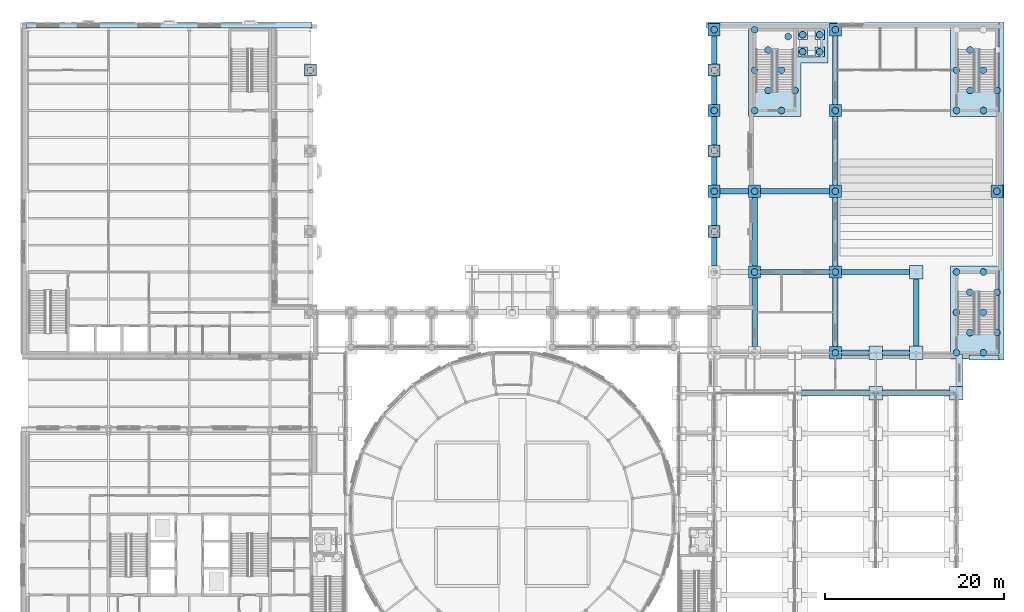
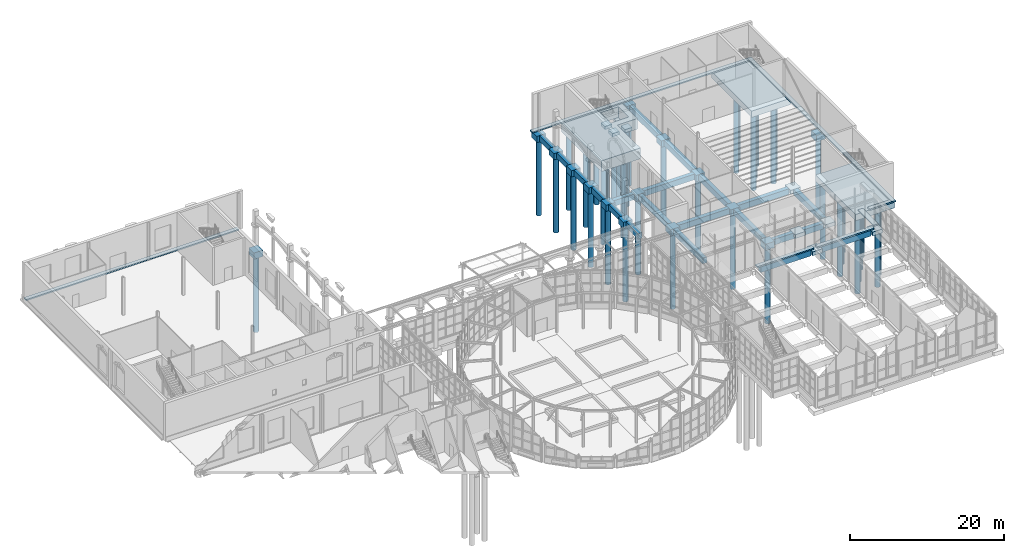
# One storey, part 4 of 106: 54 footings, 45 piles.
"""IFC4 building model written with IfcOpenShell, lengths in metres."""

from ifc_helpers import new_model, si_unit, direction, frame, origin, origin_2d, place, context, subcontext, project, spatial, polyline, circle, outline, extrude, material, material_profile, profile_set, type_object, element, save


model = new_model("IFC4")

# Units and contexts
model_context = context("Model", 3, precision=1e-05, world=origin(), true_north=direction((0.0, 1.0)))
body_context = subcontext(model_context, "Body", "Model", "MODEL_VIEW")
ifc_project = project(units=[si_unit("LENGTHUNIT", "METRE"), si_unit("AREAUNIT", "SQUARE_METRE"), si_unit("VOLUMEUNIT", "CUBIC_METRE"), si_unit("PLANEANGLEUNIT", "RADIAN"), si_unit("MASSUNIT", "GRAM", prefix="KILO")], contexts=[model_context])

# Site, building, storey
site_placement = place(None, origin())
site = spatial("IfcSite", under=ifc_project, at=site_placement, CompositionType="ELEMENT")
building_placement = place(site_placement, origin())
building = spatial("IfcBuilding", under=site, at=building_placement, Name="Hortulan Conservatory and Botanical Research Centre", CompositionType="ELEMENT")
storey_placement = place(building_placement, origin())
storey = spatial("IfcBuildingStorey", under=building, at=storey_placement, Name="L00", CompositionType="ELEMENT", Elevation=0.0)

# Piles
ifc_material = material(Name="Concrete N40 (40 MPa, AS 3600)", Category="concrete")
ifc_material_profile = material_profile(ifc_material, circle(Radius=0.375, at=origin_2d()), Name="Bored pile 750 diameter")
ifc_profile_set = profile_set([ifc_material_profile], Name="Concrete N40 (40 MPa, AS 3600)")
pile_type = type_object("IfcPileType", Name="Bored Pile 750", PredefinedType="BORED", material=ifc_profile_set)
for number, where, z_axis, x_axis, name in (
    (1, (81.0, 63.0, -1.800048828125), (0.0, 0.0, -1.0), (1.0, 0.0, 0.0), "Bored pile 750"),
    (2, (81.0, 67.5, -1.800048828125), (0.0, 0.0, -1.0), (1.0, 0.0, 0.0), "Bored pile 750"),
    (3, (81.0, 72.0, -1.800048828125), (0.0, 0.0, -1.0), (1.0, 0.0, 0.0), "Bored pile 750"),
    (4, (82.5, 65.25, -1.800048828125), (0.0, 0.0, -1.0), (1.0, 0.0, 0.0), "Bored pile 750"),
    (5, (82.5, 69.75, -1.800048828125), (0.0, 0.0, -1.0), (1.0, 0.0, 0.0), "Bored pile 750"),
    (6, (84.0, 63.0, -1.800048828125), (0.0, 0.0, -1.0), (1.0, 0.0, 0.0), "Bored pile 750"),
    (7, (84.0, 67.5, -1.800048828125), (0.0, 0.0, -1.0), (1.0, 0.0, 0.0), "Bored pile 750"),
    (8, (84.75, 71.25, -1.800048828125), (0.0, 0.0, -1.0), (1.0, 0.0, 0.0), "Bored pile 750"),
    (9, (85.5, 65.25, -1.800048828125), (0.0, 0.0, -1.0), (1.0, 0.0, 0.0), "Bored pile 750"),
    (10, (86.35009765625, 69.550048828125, -2.300048828125), (0.0, 0.0, -1.0), (1.0, 0.0, 0.0), "Bored pile 750"),
    (11, (88.25, 69.550048828125, -2.300048828125), (0.0, 0.0, -1.0), (1.0, 0.0, 0.0), "Bored pile 750"),
    (12, (86.35009765625, 71.449951171875, -2.300048828125), (0.0, 0.0, -1.0), (1.0, 0.0, 0.0), "Bored pile 750"),
    (13, (88.25, 71.449951171875, -2.300048828125), (0.0, 0.0, -1.0), (1.0, 0.0, 0.0), "Bored pile 750"),
    (14, (103.5, 36.0, -1.10009765625), (0.0, 0.0, -1.0), (1.0, 0.0, 0.0), "Bored pile 750"),
    (15, (103.5, 40.5, -1.10009765625), (0.0, 0.0, -1.0), (1.0, 0.0, 0.0), "Bored pile 750"),
    (16, (103.5, 45.0, -1.10009765625), (0.0, 0.0, -1.0), (1.0, 0.0, 0.0), "Bored pile 750"),
    (17, (105.0, 38.25, -1.10009765625), (0.0, 0.0, -1.0), (1.0, 0.0, 0.0), "Bored pile 750"),
    (18, (105.0, 42.75, -1.10009765625), (0.0, 0.0, -1.0), (1.0, 0.0, 0.0), "Bored pile 750"),
    (19, (106.5, 36.0, -1.10009765625), (0.0, 0.0, -1.0), (1.0, 0.0, 0.0), "Bored pile 750"),
    (20, (106.5, 40.5, -1.10009765625), (0.0, 0.0, -1.0), (1.0, 0.0, 0.0), "Bored pile 750"),
    (21, (106.5, 45.0, -1.10009765625), (0.0, 0.0, -1.0), (1.0, 0.0, 0.0), "Bored pile 750"),
    (22, (108.0, 38.25, -1.10009765625), (0.0, 0.0, -1.0), (1.0, 0.0, 0.0), "Bored pile 750"),
    (23, (108.0, 42.75, -1.10009765625), (0.0, 0.0, -1.0), (1.0, 0.0, 0.0), "Bored pile 750"),
    (24, (103.5, 63.0, -1.10009765625), (0.0, 0.0, -1.0), (1.0, 0.0, 0.0), "Bored pile 750"),
    (25, (103.5, 67.5, -1.10009765625), (0.0, 0.0, -1.0), (1.0, 0.0, 0.0), "Bored pile 750"),
    (26, (105.0, 65.25, -1.10009765625), (0.0, 0.0, -1.0), (1.0, 0.0, 0.0), "Bored pile 750"),
    (27, (105.0, 69.75, -1.10009765625), (0.0, 0.0, -1.0), (1.0, 0.0, 0.0), "Bored pile 750"),
    (28, (106.5, 63.0, -1.10009765625), (0.0, 0.0, -1.0), (1.0, 0.0, 0.0), "Bored pile 750"),
    (29, (106.5, 67.5, -1.10009765625), (0.0, 0.0, -1.0), (1.0, 0.0, 0.0), "Bored pile 750"),
    (30, (108.0, 65.25, -1.10009765625), (0.0, 0.0, -1.0), (1.0, 0.0, 0.0), "Bored pile 750"),
    (31, (31.5, 67.5, -1.10009765625), (0.0, 0.0, -1.0), (1.0, 0.0, 0.0), "Bored pile 750"),
    (32, (76.5, 54.0, -1.10009765625), (0.0, 0.0, -1.0), (1.0, 0.0, 0.0), "Bored pile 750"),
    (33, (76.5, 63.0, -1.10009765625), (0.0, 0.0, -1.0), (1.0, 0.0, 0.0), "Bored pile 750"),
    (34, (76.5, 72.0, -1.10009765625), (0.0, 0.0, -1.0), (1.0, 0.0, 0.0), "Bored pile 750"),
    (35, (81.0, 45.0, -1.10009765625), (0.0, 0.0, -1.0), (1.0, 0.0, 0.0), "Bored pile 750"),
    (36, (81.0, 54.0, -1.10009765625), (0.0, 0.0, -1.0), (1.0, 0.0, 0.0), "Bored pile 750"),
    (37, (90.0, 36.0, -1.10009765625), (0.0, 0.0, -1.0), (1.0, 0.0, 0.0), "Bored pile 750"),
    (38, (90.0, 45.0, -1.10009765625), (0.0, 0.0, -1.0), (1.0, 0.0, 0.0), "Bored pile 750"),
    (39, (90.0, 54.0, -1.10009765625), (0.0, 0.0, -1.0), (1.0, 0.0, 0.0), "Bored pile 750"),
    (40, (90.0, 63.0, -1.10009765625), (0.0, 0.0, -1.0), (1.0, 0.0, 0.0), "Bored pile 750"),
    (41, (90.0, 72.0, -1.10009765625), (0.0, 0.0, -1.0), (1.0, 0.0, 0.0), "Bored pile 750"),
    (42, (108.0, 54.0, -1.10009765625), (0.0, 0.0, -1.0), (1.0, 0.0, 0.0), "Bored pile 750"),
    (43, (76.5, 49.5, -1.10009765625), (0.0, 0.0, -1.0), (1.0, 0.0, 0.0), "Bored pile 750"),
    (44, (76.5, 58.5, -1.10009765625), (0.0, 0.0, -1.0), (1.0, 0.0, 0.0), "Bored pile 750"),
    (45, (76.5, 67.5, -1.10009765625), (0.0, 0.0, -1.0), (1.0, 0.0, 0.0), "Bored pile 750"),
):
    element("IfcPile", number, at=place(storey_placement, frame(where, z_axis=z_axis, x_axis=x_axis)), inside=storey, type_object=pile_type, Name=name, PredefinedType="BORED", context=body_context, shape_type="SweptSolid", body=[
        extrude(circle(Radius=0.375, at=origin_2d()), origin(), (0.0, 0.0, 1.0), 12.10009765625),
    ])

# Footings
footing_type_1 = type_object("IfcFootingType", Name="Ground Beam 600x900", PredefinedType="FOOTING_BEAM", material=ifc_material)
footing_1_placement = place(storey_placement, frame((0.0, 0.0, -1.10009765625)))
element("IfcFooting", 46, at=footing_1_placement, inside=storey, type_object=footing_type_1, Name="Ground beam", PredefinedType="FOOTING_BEAM", context=body_context, shape_type="SweptSolid", body=[
    extrude(outline(polyline([(93.75, 31.199951171875), (93.75, 31.800048828125), (86.25, 31.800048828125), (86.25, 31.199951171875), (93.75, 31.199951171875)])), origin(), (0.0, 0.0, 1.0), 0.900146484375),
])
footing_2_placement = place(storey_placement, frame((0.0, 0.0, -1.10009765625)))
element("IfcFooting", 47, at=footing_2_placement, inside=storey, type_object=footing_type_1, Name="Ground beam", PredefinedType="FOOTING_BEAM", context=body_context, shape_type="SweptSolid", body=[
    extrude(outline(polyline([(102.75, 31.199951171875), (102.75, 31.800048828125), (95.25, 31.800048828125), (95.25, 31.199951171875), (102.75, 31.199951171875)])), origin(), (0.0, 0.0, 1.0), 0.900146484375),
])
footing_3_placement = place(storey_placement, frame((0.0, 0.0, -1.10009765625)))
element("IfcFooting", 48, at=footing_3_placement, inside=storey, type_object=footing_type_1, Name="Ground beam", PredefinedType="FOOTING_BEAM", context=body_context, shape_type="SweptSolid", body=[
    extrude(outline(polyline([(98.25, 35.699951171875), (98.25, 36.300048828125), (90.675048828125, 36.300048828125), (90.675048828125, 35.699951171875), (98.25, 35.699951171875)])), origin(), (0.0, 0.0, 1.0), 0.900146484375),
])
footing_4_placement = place(storey_placement, frame((0.0, 0.0, -1.10009765625)))
element("IfcFooting", 49, at=footing_4_placement, inside=storey, type_object=footing_type_1, Name="Ground beam", PredefinedType="FOOTING_BEAM", context=body_context, shape_type="SweptSolid", body=[
    extrude(outline(polyline([(89.324951171875, 44.699951171875), (89.324951171875, 45.300048828125), (81.675048828125, 45.300048828125), (81.675048828125, 44.699951171875), (89.324951171875, 44.699951171875)])), origin(), (0.0, 0.0, 1.0), 0.900146484375),
])
footing_5_placement = place(storey_placement, frame((0.0, 0.0, -1.10009765625)))
element("IfcFooting", 50, at=footing_5_placement, inside=storey, type_object=footing_type_1, Name="Ground beam", PredefinedType="FOOTING_BEAM", context=body_context, shape_type="SweptSolid", body=[
    extrude(outline(polyline([(98.25, 44.699951171875), (98.25, 45.300048828125), (90.675048828125, 45.300048828125), (90.675048828125, 44.699951171875), (98.25, 44.699951171875)])), origin(), (0.0, 0.0, 1.0), 0.900146484375),
])
footing_6_placement = place(storey_placement, frame((0.0, 0.0, -1.10009765625)))
element("IfcFooting", 51, at=footing_6_placement, inside=storey, type_object=footing_type_1, Name="Ground beam", PredefinedType="FOOTING_BEAM", context=body_context, shape_type="SweptSolid", body=[
    extrude(outline(polyline([(80.324951171875, 53.699951171875), (80.324951171875, 54.300048828125), (77.175048828125, 54.300048828125), (77.175048828125, 53.699951171875), (80.324951171875, 53.699951171875)])), origin(), (0.0, 0.0, 1.0), 0.900146484375),
])
footing_7_placement = place(storey_placement, frame((0.0, 0.0, -1.10009765625)))
element("IfcFooting", 52, at=footing_7_placement, inside=storey, type_object=footing_type_1, Name="Ground beam", PredefinedType="FOOTING_BEAM", context=body_context, shape_type="SweptSolid", body=[
    extrude(outline(polyline([(89.324951171875, 53.699951171875), (89.324951171875, 54.300048828125), (81.675048828125, 54.300048828125), (81.675048828125, 53.699951171875), (89.324951171875, 53.699951171875)])), origin(), (0.0, 0.0, 1.0), 0.900146484375),
])
footing_8_placement = place(storey_placement, frame((0.0, 0.0, -1.10009765625)))
element("IfcFooting", 53, at=footing_8_placement, inside=storey, type_object=footing_type_1, Name="Ground beam", PredefinedType="FOOTING_BEAM", context=body_context, shape_type="SweptSolid", body=[
    extrude(outline(polyline([(76.800048828125, 45.675048828125), (76.800048828125, 48.824951171875), (76.199951171875, 48.824951171875), (76.199951171875, 45.675048828125), (76.800048828125, 45.675048828125)])), origin(), (0.0, 0.0, 1.0), 0.900146484375),
])
footing_9_placement = place(storey_placement, frame((0.0, 0.0, -1.10009765625)))
element("IfcFooting", 54, at=footing_9_placement, inside=storey, type_object=footing_type_1, Name="Ground beam", PredefinedType="FOOTING_BEAM", context=body_context, shape_type="SweptSolid", body=[
    extrude(outline(polyline([(76.800048828125, 50.175048828125), (76.800048828125, 53.324951171875), (76.199951171875, 53.324951171875), (76.199951171875, 50.175048828125), (76.800048828125, 50.175048828125)])), origin(), (0.0, 0.0, 1.0), 0.900146484375),
])
footing_10_placement = place(storey_placement, frame((0.0, 0.0, -1.10009765625)))
element("IfcFooting", 55, at=footing_10_placement, inside=storey, type_object=footing_type_1, Name="Ground beam", PredefinedType="FOOTING_BEAM", context=body_context, shape_type="SweptSolid", body=[
    extrude(outline(polyline([(76.800048828125, 54.675048828125), (76.800048828125, 57.824951171875), (76.199951171875, 57.824951171875), (76.199951171875, 54.675048828125), (76.800048828125, 54.675048828125)])), origin(), (0.0, 0.0, 1.0), 0.900146484375),
])
footing_11_placement = place(storey_placement, frame((0.0, 0.0, -1.10009765625)))
element("IfcFooting", 56, at=footing_11_placement, inside=storey, type_object=footing_type_1, Name="Ground beam", PredefinedType="FOOTING_BEAM", context=body_context, shape_type="SweptSolid", body=[
    extrude(outline(polyline([(76.800048828125, 59.175048828125), (76.800048828125, 62.324951171875), (76.199951171875, 62.324951171875), (76.199951171875, 59.175048828125), (76.800048828125, 59.175048828125)])), origin(), (0.0, 0.0, 1.0), 0.900146484375),
])
footing_12_placement = place(storey_placement, frame((0.0, 0.0, -1.10009765625)))
element("IfcFooting", 57, at=footing_12_placement, inside=storey, type_object=footing_type_1, Name="Ground beam", PredefinedType="FOOTING_BEAM", context=body_context, shape_type="SweptSolid", body=[
    extrude(outline(polyline([(76.800048828125, 63.675048828125), (76.800048828125, 66.824951171875), (76.199951171875, 66.824951171875), (76.199951171875, 63.675048828125), (76.800048828125, 63.675048828125)])), origin(), (0.0, 0.0, 1.0), 0.900146484375),
])
footing_13_placement = place(storey_placement, frame((0.0, 0.0, -1.10009765625)))
element("IfcFooting", 58, at=footing_13_placement, inside=storey, type_object=footing_type_1, Name="Ground beam", PredefinedType="FOOTING_BEAM", context=body_context, shape_type="SweptSolid", body=[
    extrude(outline(polyline([(76.800048828125, 68.175048828125), (76.800048828125, 71.324951171875), (76.199951171875, 71.324951171875), (76.199951171875, 68.175048828125), (76.800048828125, 68.175048828125)])), origin(), (0.0, 0.0, 1.0), 0.900146484375),
])
footing_14_placement = place(storey_placement, frame((0.0, 0.0, -1.10009765625)))
element("IfcFooting", 59, at=footing_14_placement, inside=storey, type_object=footing_type_1, Name="Ground beam", PredefinedType="FOOTING_BEAM", context=body_context, shape_type="SweptSolid", body=[
    extrude(outline(polyline([(81.300048828125, 36.675048828125), (81.300048828125, 44.324951171875), (80.699951171875, 44.324951171875), (80.699951171875, 36.675048828125), (81.300048828125, 36.675048828125)])), origin(), (0.0, 0.0, 1.0), 0.900146484375),
])
footing_15_placement = place(storey_placement, frame((0.0, 0.0, -1.10009765625)))
element("IfcFooting", 60, at=footing_15_placement, inside=storey, type_object=footing_type_1, Name="Ground beam", PredefinedType="FOOTING_BEAM", context=body_context, shape_type="SweptSolid", body=[
    extrude(outline(polyline([(81.300048828125, 45.675048828125), (81.300048828125, 53.324951171875), (80.699951171875, 53.324951171875), (80.699951171875, 45.675048828125), (81.300048828125, 45.675048828125)])), origin(), (0.0, 0.0, 1.0), 0.900146484375),
])
footing_16_placement = place(storey_placement, frame((0.0, 0.0, -1.10009765625)))
element("IfcFooting", 61, at=footing_16_placement, inside=storey, type_object=footing_type_1, Name="Ground beam", PredefinedType="FOOTING_BEAM", context=body_context, shape_type="SweptSolid", body=[
    extrude(outline(polyline([(90.300048828125, 36.675048828125), (90.300048828125, 44.324951171875), (89.699951171875, 44.324951171875), (89.699951171875, 36.675048828125), (90.300048828125, 36.675048828125)])), origin(), (0.0, 0.0, 1.0), 0.900146484375),
])
footing_17_placement = place(storey_placement, frame((0.0, 0.0, -1.10009765625)))
element("IfcFooting", 62, at=footing_17_placement, inside=storey, type_object=footing_type_1, Name="Ground beam", PredefinedType="FOOTING_BEAM", context=body_context, shape_type="SweptSolid", body=[
    extrude(outline(polyline([(90.300048828125, 45.675048828125), (90.300048828125, 53.324951171875), (89.699951171875, 53.324951171875), (89.699951171875, 45.675048828125), (90.300048828125, 45.675048828125)])), origin(), (0.0, 0.0, 1.0), 0.900146484375),
])
footing_18_placement = place(storey_placement, frame((0.0, 0.0, -1.10009765625)))
element("IfcFooting", 63, at=footing_18_placement, inside=storey, type_object=footing_type_1, Name="Ground beam", PredefinedType="FOOTING_BEAM", context=body_context, shape_type="SweptSolid", body=[
    extrude(outline(polyline([(90.300048828125, 54.675048828125), (90.300048828125, 62.324951171875), (89.699951171875, 62.324951171875), (89.699951171875, 54.675048828125), (90.300048828125, 54.675048828125)])), origin(), (0.0, 0.0, 1.0), 0.900146484375),
])
footing_19_placement = place(storey_placement, frame((0.0, 0.0, -1.10009765625)))
element("IfcFooting", 64, at=footing_19_placement, inside=storey, type_object=footing_type_1, Name="Ground beam", PredefinedType="FOOTING_BEAM", context=body_context, shape_type="SweptSolid", body=[
    extrude(outline(polyline([(90.300048828125, 63.675048828125), (90.300048828125, 71.324951171875), (89.699951171875, 71.324951171875), (89.699951171875, 63.675048828125), (90.300048828125, 63.675048828125)])), origin(), (0.0, 0.0, 1.0), 0.900146484375),
])
footing_20_placement = place(storey_placement, frame((0.0, 0.0, -1.10009765625)))
element("IfcFooting", 65, at=footing_20_placement, inside=storey, type_object=footing_type_1, Name="Ground beam", PredefinedType="FOOTING_BEAM", context=body_context, shape_type="SweptSolid", body=[
    extrude(outline(polyline([(99.300048828125, 36.75), (99.300048828125, 44.25), (98.699951171875, 44.25), (98.699951171875, 36.75), (99.300048828125, 36.75)])), origin(), (0.0, 0.0, 1.0), 0.900146484375),
])
footing_type_2 = type_object("IfcFootingType", Name="Lift Pit Corner Pile Cap 1050", PredefinedType="PILE_CAP", material=ifc_material)
footing_21_placement = place(storey_placement, frame((0.0, 0.0, -2.39990234375)))
element("IfcFooting", 66, at=footing_21_placement, inside=storey, type_object=footing_type_2, Name="Lift pit corner pile cap", PredefinedType="PILE_CAP", context=body_context, shape_type="SweptSolid", body=[
    extrude(outline(polyline([(86.875, 69.02490234375), (86.875, 70.074951171875), (85.824951171875, 70.074951171875), (85.824951171875, 69.02490234375), (86.875, 69.02490234375)])), origin(), (0.0, 0.0, 1.0), 0.5),
])
footing_22_placement = place(storey_placement, frame((0.0, 0.0, -2.39990234375)))
element("IfcFooting", 67, at=footing_22_placement, inside=storey, type_object=footing_type_2, Name="Lift pit corner pile cap", PredefinedType="PILE_CAP", context=body_context, shape_type="SweptSolid", body=[
    extrude(outline(polyline([(88.77490234375, 69.02490234375), (88.77490234375, 70.074951171875), (87.72509765625, 70.074951171875), (87.72509765625, 69.02490234375), (88.77490234375, 69.02490234375)])), origin(), (0.0, 0.0, 1.0), 0.5),
])
footing_23_placement = place(storey_placement, frame((0.0, 0.0, -2.39990234375)))
element("IfcFooting", 68, at=footing_23_placement, inside=storey, type_object=footing_type_2, Name="Lift pit corner pile cap", PredefinedType="PILE_CAP", context=body_context, shape_type="SweptSolid", body=[
    extrude(outline(polyline([(86.875, 70.925048828125), (86.875, 71.97509765625), (85.824951171875, 71.97509765625), (85.824951171875, 70.925048828125), (86.875, 70.925048828125)])), origin(), (0.0, 0.0, 1.0), 0.5),
])
footing_24_placement = place(storey_placement, frame((0.0, 0.0, -2.39990234375)))
element("IfcFooting", 69, at=footing_24_placement, inside=storey, type_object=footing_type_2, Name="Lift pit corner pile cap", PredefinedType="PILE_CAP", context=body_context, shape_type="SweptSolid", body=[
    extrude(outline(polyline([(88.77490234375, 70.925048828125), (88.77490234375, 71.97509765625), (87.72509765625, 71.97509765625), (87.72509765625, 70.925048828125), (88.77490234375, 70.925048828125)])), origin(), (0.0, 0.0, 1.0), 0.5),
])
footing_type_3 = type_object("IfcFootingType", Name="Pad Footing 1500x1500x600", PredefinedType="PAD_FOOTING", material=ifc_material)
footing_25_placement = place(storey_placement, frame((0.0, 0.0, -0.800048828125)))
element("IfcFooting", 70, at=footing_25_placement, inside=storey, type_object=footing_type_3, Name="Pad footing", PredefinedType="PAD_FOOTING", context=body_context, shape_type="SweptSolid", body=[
    extrude(outline(polyline([(95.25, 30.75), (95.25, 32.25), (93.75, 32.25), (93.75, 30.75), (95.25, 30.75)])), origin(), (0.0, 0.0, 1.0), 0.60009765625),
])
footing_26_placement = place(storey_placement, frame((0.0, 0.0, -0.800048828125)))
element("IfcFooting", 71, at=footing_26_placement, inside=storey, type_object=footing_type_3, Name="Pad footing", PredefinedType="PAD_FOOTING", context=body_context, shape_type="SweptSolid", body=[
    extrude(outline(polyline([(104.25, 30.75), (104.25, 32.25), (102.75, 32.25), (102.75, 30.75), (104.25, 30.75)])), origin(), (0.0, 0.0, 1.0), 0.60009765625),
])
footing_27_placement = place(storey_placement, frame((0.0, 0.0, -0.800048828125)))
element("IfcFooting", 72, at=footing_27_placement, inside=storey, type_object=footing_type_3, Name="Pad footing", PredefinedType="PAD_FOOTING", context=body_context, shape_type="SweptSolid", body=[
    extrude(outline(polyline([(99.75, 35.25), (99.75, 36.75), (98.25, 36.75), (98.25, 35.25), (99.75, 35.25)])), origin(), (0.0, 0.0, 1.0), 0.60009765625),
])
footing_28_placement = place(storey_placement, frame((0.0, 0.0, -0.800048828125)))
element("IfcFooting", 73, at=footing_28_placement, inside=storey, type_object=footing_type_3, Name="Pad footing", PredefinedType="PAD_FOOTING", context=body_context, shape_type="SweptSolid", body=[
    extrude(outline(polyline([(99.75, 44.25), (99.75, 45.75), (98.25, 45.75), (98.25, 44.25), (99.75, 44.25)])), origin(), (0.0, 0.0, 1.0), 0.60009765625),
])
footing_29_placement = place(storey_placement, frame((0.0, 0.0, -0.800048828125)))
element("IfcFooting", 74, at=footing_29_placement, inside=storey, type_object=footing_type_3, Name="Pad footing", PredefinedType="PAD_FOOTING", context=body_context, shape_type="SweptSolid", body=[
    extrude(outline(polyline([(93.75, 35.25), (95.25, 35.25), (95.25, 36.75), (93.75, 36.75), (93.75, 35.25)])), origin(), (0.0, 0.0, 1.0), 0.60009765625),
])
footing_type_4 = type_object("IfcFootingType", Name="Pile Cap 1350x1350x1000", PredefinedType="PILE_CAP", material=ifc_material)
footing_30_placement = place(storey_placement, frame((0.0, 0.0, -1.199951171875)))
element("IfcFooting", 75, at=footing_30_placement, inside=storey, type_object=footing_type_4, Name="Pile cap", PredefinedType="PILE_CAP", context=body_context, shape_type="SweptSolid", body=[
    extrude(outline(polyline([(32.175048828125, 66.824951171875), (32.175048828125, 68.175048828125), (30.824951171875, 68.175048828125), (30.824951171875, 66.824951171875), (32.175048828125, 66.824951171875)])), origin(), (0.0, 0.0, 1.0), 1.0),
])
footing_31_placement = place(storey_placement, frame((0.0, 0.0, -1.199951171875)))
element("IfcFooting", 76, at=footing_31_placement, inside=storey, type_object=footing_type_4, Name="Pile cap", PredefinedType="PILE_CAP", context=body_context, shape_type="SweptSolid", body=[
    extrude(outline(polyline([(77.175048828125, 53.324951171875), (77.175048828125, 54.675048828125), (75.824951171875, 54.675048828125), (75.824951171875, 53.324951171875), (77.175048828125, 53.324951171875)])), origin(), (0.0, 0.0, 1.0), 1.0),
])
footing_32_placement = place(storey_placement, frame((0.0, 0.0, -1.199951171875)))
element("IfcFooting", 77, at=footing_32_placement, inside=storey, type_object=footing_type_4, Name="Pile cap", PredefinedType="PILE_CAP", context=body_context, shape_type="SweptSolid", body=[
    extrude(outline(polyline([(77.175048828125, 62.324951171875), (77.175048828125, 63.675048828125), (75.824951171875, 63.675048828125), (75.824951171875, 62.324951171875), (77.175048828125, 62.324951171875)])), origin(), (0.0, 0.0, 1.0), 1.0),
])
footing_33_placement = place(storey_placement, frame((0.0, 0.0, -1.199951171875)))
element("IfcFooting", 78, at=footing_33_placement, inside=storey, type_object=footing_type_4, Name="Pile cap", PredefinedType="PILE_CAP", context=body_context, shape_type="SweptSolid", body=[
    extrude(outline(polyline([(77.175048828125, 71.324951171875), (77.175048828125, 72.675048828125), (75.824951171875, 72.675048828125), (75.824951171875, 71.324951171875), (77.175048828125, 71.324951171875)])), origin(), (0.0, 0.0, 1.0), 1.0),
])
footing_34_placement = place(storey_placement, frame((0.0, 0.0, -1.199951171875)))
element("IfcFooting", 79, at=footing_34_placement, inside=storey, type_object=footing_type_4, Name="Pile cap", PredefinedType="PILE_CAP", context=body_context, shape_type="SweptSolid", body=[
    extrude(outline(polyline([(81.675048828125, 44.324951171875), (81.675048828125, 45.675048828125), (80.324951171875, 45.675048828125), (80.324951171875, 44.324951171875), (81.675048828125, 44.324951171875)])), origin(), (0.0, 0.0, 1.0), 1.0),
])
footing_35_placement = place(storey_placement, frame((0.0, 0.0, -1.199951171875)))
element("IfcFooting", 80, at=footing_35_placement, inside=storey, type_object=footing_type_4, Name="Pile cap", PredefinedType="PILE_CAP", context=body_context, shape_type="SweptSolid", body=[
    extrude(outline(polyline([(81.675048828125, 53.324951171875), (81.675048828125, 54.675048828125), (80.324951171875, 54.675048828125), (80.324951171875, 53.324951171875), (81.675048828125, 53.324951171875)])), origin(), (0.0, 0.0, 1.0), 1.0),
])
footing_36_placement = place(storey_placement, frame((0.0, 0.0, -1.199951171875)))
element("IfcFooting", 81, at=footing_36_placement, inside=storey, type_object=footing_type_4, Name="Pile cap", PredefinedType="PILE_CAP", context=body_context, shape_type="SweptSolid", body=[
    extrude(outline(polyline([(90.675048828125, 35.324951171875), (90.675048828125, 36.675048828125), (89.324951171875, 36.675048828125), (89.324951171875, 35.324951171875), (90.675048828125, 35.324951171875)])), origin(), (0.0, 0.0, 1.0), 1.0),
])
footing_37_placement = place(storey_placement, frame((0.0, 0.0, -1.199951171875)))
element("IfcFooting", 82, at=footing_37_placement, inside=storey, type_object=footing_type_4, Name="Pile cap", PredefinedType="PILE_CAP", context=body_context, shape_type="SweptSolid", body=[
    extrude(outline(polyline([(90.675048828125, 44.324951171875), (90.675048828125, 45.675048828125), (89.324951171875, 45.675048828125), (89.324951171875, 44.324951171875), (90.675048828125, 44.324951171875)])), origin(), (0.0, 0.0, 1.0), 1.0),
])
footing_38_placement = place(storey_placement, frame((0.0, 0.0, -1.199951171875)))
element("IfcFooting", 83, at=footing_38_placement, inside=storey, type_object=footing_type_4, Name="Pile cap", PredefinedType="PILE_CAP", context=body_context, shape_type="SweptSolid", body=[
    extrude(outline(polyline([(90.675048828125, 53.324951171875), (90.675048828125, 54.675048828125), (89.324951171875, 54.675048828125), (89.324951171875, 53.324951171875), (90.675048828125, 53.324951171875)])), origin(), (0.0, 0.0, 1.0), 1.0),
])
footing_39_placement = place(storey_placement, frame((0.0, 0.0, -1.199951171875)))
element("IfcFooting", 84, at=footing_39_placement, inside=storey, type_object=footing_type_4, Name="Pile cap", PredefinedType="PILE_CAP", context=body_context, shape_type="SweptSolid", body=[
    extrude(outline(polyline([(90.675048828125, 62.324951171875), (90.675048828125, 63.675048828125), (89.324951171875, 63.675048828125), (89.324951171875, 62.324951171875), (90.675048828125, 62.324951171875)])), origin(), (0.0, 0.0, 1.0), 1.0),
])
footing_40_placement = place(storey_placement, frame((0.0, 0.0, -1.199951171875)))
element("IfcFooting", 85, at=footing_40_placement, inside=storey, type_object=footing_type_4, Name="Pile cap", PredefinedType="PILE_CAP", context=body_context, shape_type="SweptSolid", body=[
    extrude(outline(polyline([(90.675048828125, 71.324951171875), (90.675048828125, 72.675048828125), (89.324951171875, 72.675048828125), (89.324951171875, 71.324951171875), (90.675048828125, 71.324951171875)])), origin(), (0.0, 0.0, 1.0), 1.0),
])
footing_41_placement = place(storey_placement, frame((0.0, 0.0, -1.199951171875)))
element("IfcFooting", 86, at=footing_41_placement, inside=storey, type_object=footing_type_4, Name="Pile cap", PredefinedType="PILE_CAP", context=body_context, shape_type="SweptSolid", body=[
    extrude(outline(polyline([(108.675048828125, 53.324951171875), (108.675048828125, 54.675048828125), (107.324951171875, 54.675048828125), (107.324951171875, 53.324951171875), (108.675048828125, 53.324951171875)])), origin(), (0.0, 0.0, 1.0), 1.0),
])
footing_42_placement = place(storey_placement, frame((0.0, 0.0, -1.199951171875)))
element("IfcFooting", 87, at=footing_42_placement, inside=storey, type_object=footing_type_4, Name="Pile cap", PredefinedType="PILE_CAP", context=body_context, shape_type="SweptSolid", body=[
    extrude(outline(polyline([(77.175048828125, 48.824951171875), (77.175048828125, 50.175048828125), (75.824951171875, 50.175048828125), (75.824951171875, 48.824951171875), (77.175048828125, 48.824951171875)])), origin(), (0.0, 0.0, 1.0), 1.0),
])
footing_43_placement = place(storey_placement, frame((0.0, 0.0, -1.199951171875)))
element("IfcFooting", 88, at=footing_43_placement, inside=storey, type_object=footing_type_4, Name="Pile cap", PredefinedType="PILE_CAP", context=body_context, shape_type="SweptSolid", body=[
    extrude(outline(polyline([(77.175048828125, 57.824951171875), (77.175048828125, 59.175048828125), (75.824951171875, 59.175048828125), (75.824951171875, 57.824951171875), (77.175048828125, 57.824951171875)])), origin(), (0.0, 0.0, 1.0), 1.0),
])
footing_44_placement = place(storey_placement, frame((0.0, 0.0, -1.199951171875)))
element("IfcFooting", 89, at=footing_44_placement, inside=storey, type_object=footing_type_4, Name="Pile cap", PredefinedType="PILE_CAP", context=body_context, shape_type="SweptSolid", body=[
    extrude(outline(polyline([(77.175048828125, 66.824951171875), (77.175048828125, 68.175048828125), (75.824951171875, 68.175048828125), (75.824951171875, 66.824951171875), (77.175048828125, 66.824951171875)])), origin(), (0.0, 0.0, 1.0), 1.0),
])
footing_type_5 = type_object("IfcFootingType", Name="Pile Raft 1000", PredefinedType="PILE_CAP", material=ifc_material)
footing_45_placement = place(storey_placement, frame((0.0, 0.0, -1.199951171875)))
element("IfcFooting", 90, at=footing_45_placement, inside=storey, type_object=footing_type_5, Name="Pile raft under shaft walls", PredefinedType="PILE_CAP", context=body_context, shape_type="SweptSolid", body=[
    extrude(outline(polyline([(108.675048828125, 35.324951171875), (108.675048828125, 45.675048828125), (102.824951171875, 45.675048828125), (102.824951171875, 35.324951171875), (108.675048828125, 35.324951171875)])), origin(), (0.0, 0.0, 1.0), 1.0),
])
footing_46_placement = place(storey_placement, frame((0.0, 0.0, -1.199951171875)))
element("IfcFooting", 91, at=footing_46_placement, inside=storey, type_object=footing_type_5, Name="Pile raft under shaft walls", PredefinedType="PILE_CAP", context=body_context, shape_type="SweptSolid", body=[
    extrude(outline(polyline([(108.675048828125, 62.324951171875), (108.675048828125, 72.675048828125), (102.824951171875, 72.675048828125), (102.824951171875, 62.324951171875), (108.675048828125, 62.324951171875)])), origin(), (0.0, 0.0, 1.0), 1.0),
])
footing_type_6 = type_object("IfcFootingType", Name="Pile Raft 1700", PredefinedType="PILE_CAP", material=ifc_material)
footing_47_placement = place(storey_placement, frame((0.0, 0.0, -1.89990234375)))
element("IfcFooting", 92, at=footing_47_placement, inside=storey, type_object=footing_type_6, Name="Pile raft under shaft walls", PredefinedType="PILE_CAP", context=body_context, shape_type="SweptSolid", body=[
    extrude(outline(polyline([(80.324951171875, 62.324951171875), (86.175048828125, 62.324951171875), (86.175048828125, 68.324951171875), (89.175048828125, 68.324951171875), (89.175048828125, 72.675048828125), (80.324951171875, 72.675048828125), (80.324951171875, 62.324951171875)]), holes=[polyline([(88.35009765625, 71.85009765625), (85.64990234375, 71.85009765625), (85.64990234375, 69.14990234375), (88.35009765625, 69.14990234375), (88.35009765625, 71.85009765625)])]), origin(), (0.0, 0.0, 1.0), 1.699951171875),
])
footing_type_7 = type_object("IfcFootingType", Name="Strip Footing 580x200", PredefinedType="FOOTING_BEAM", material=ifc_material)
footing_48_placement = place(storey_placement, frame((0.0, 0.0, -0.199951171875)))
element("IfcFooting", 93, at=footing_48_placement, inside=storey, type_object=footing_type_7, Name="Facade plinth strip footing", PredefinedType="FOOTING_BEAM", context=body_context, shape_type="SweptSolid", body=[
    extrude(outline(polyline([(31.699951171875, 72.219970703125), (31.699951171875, 72.800048828125), (-0.219970703125, 72.800048828125), (-0.219970703125, 72.219970703125), (31.699951171875, 72.219970703125)])), origin(), (0.0, 0.0, 1.0), 0.199951171875),
])
footing_49_placement = place(storey_placement, frame((0.0, 0.0, -0.199951171875)))
element("IfcFooting", 94, at=footing_49_placement, inside=storey, type_object=footing_type_7, Name="Facade plinth strip footing", PredefinedType="FOOTING_BEAM", context=body_context, shape_type="SweptSolid", body=[
    extrude(outline(polyline([(108.800048828125, 35.199951171875), (108.800048828125, 72.800048828125), (108.219970703125, 72.800048828125), (108.219970703125, 35.199951171875), (108.800048828125, 35.199951171875)])), origin(), (0.0, 0.0, 1.0), 0.199951171875),
])
footing_50_placement = place(storey_placement, frame((0.0, 0.0, -0.199951171875)))
element("IfcFooting", 95, at=footing_50_placement, inside=storey, type_object=footing_type_7, Name="Facade plinth strip footing", PredefinedType="FOOTING_BEAM", context=body_context, shape_type="SweptSolid", body=[
    extrude(outline(polyline([(108.219970703125, 72.219970703125), (108.219970703125, 72.800048828125), (75.64990234375, 72.800048828125), (75.64990234375, 72.219970703125), (108.219970703125, 72.219970703125)])), origin(), (0.0, 0.0, 1.0), 0.199951171875),
])
footing_51_placement = place(storey_placement, frame((0.0, 0.0, -0.199951171875)))
element("IfcFooting", 96, at=footing_51_placement, inside=storey, type_object=footing_type_7, Name="Facade plinth strip footing", PredefinedType="FOOTING_BEAM", context=body_context, shape_type="SweptSolid", body=[
    extrude(outline(polyline([(108.219970703125, 35.199951171875), (108.219970703125, 35.780029296875), (104.89990234375, 35.780029296875), (104.89990234375, 35.199951171875), (108.219970703125, 35.199951171875)])), origin(), (0.0, 0.0, 1.0), 0.199951171875),
])
footing_type_8 = type_object("IfcFootingType", Name="Strip Footing 600x200", PredefinedType="FOOTING_BEAM", material=ifc_material)
footing_52_placement = place(storey_placement, frame((0.0, 0.0, -0.199951171875)))
element("IfcFooting", 97, at=footing_52_placement, inside=storey, type_object=footing_type_8, Name="Gable strip footing", PredefinedType="FOOTING_BEAM", context=body_context, shape_type="SweptSolid", body=[
    extrude(outline(polyline([(94.25, 31.199951171875), (94.25, 31.800048828125), (85.75, 31.800048828125), (85.75, 31.199951171875), (94.25, 31.199951171875)])), origin(), (0.0, 0.0, 1.0), 0.199951171875),
])
footing_53_placement = place(storey_placement, frame((0.0, 0.0, -0.199951171875)))
element("IfcFooting", 98, at=footing_53_placement, inside=storey, type_object=footing_type_8, Name="Gable strip footing", PredefinedType="FOOTING_BEAM", context=body_context, shape_type="SweptSolid", body=[
    extrude(outline(polyline([(103.25, 31.199951171875), (103.25, 31.800048828125), (94.75, 31.800048828125), (94.75, 31.199951171875), (103.25, 31.199951171875)])), origin(), (0.0, 0.0, 1.0), 0.199951171875),
])
footing_type_9 = type_object("IfcFootingType", Name="Strip Footing 700x200", PredefinedType="FOOTING_BEAM", material=ifc_material)
footing_54_placement = place(storey_placement, frame((0.0, 0.0, -0.199951171875)))
element("IfcFooting", 99, at=footing_54_placement, inside=storey, type_object=footing_type_9, Name="Gardeners block wall strip footing", PredefinedType="FOOTING_BEAM", context=body_context, shape_type="SweptSolid", body=[
    extrude(outline(polyline([(104.199951171875, 31.800048828125), (104.199951171875, 35.85009765625), (103.5, 35.85009765625), (103.5, 31.800048828125), (104.199951171875, 31.800048828125)])), origin(), (0.0, 0.0, 1.0), 0.199951171875),
])

save(model, "model.ifc")
